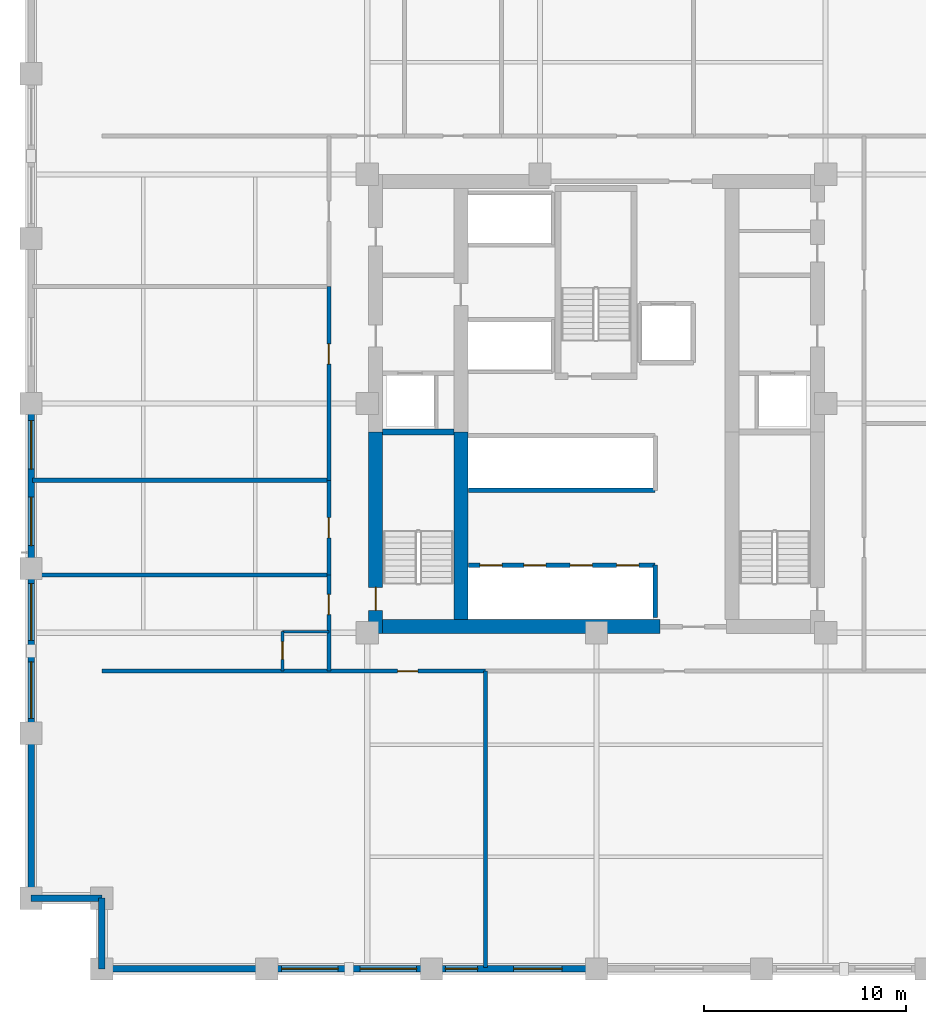
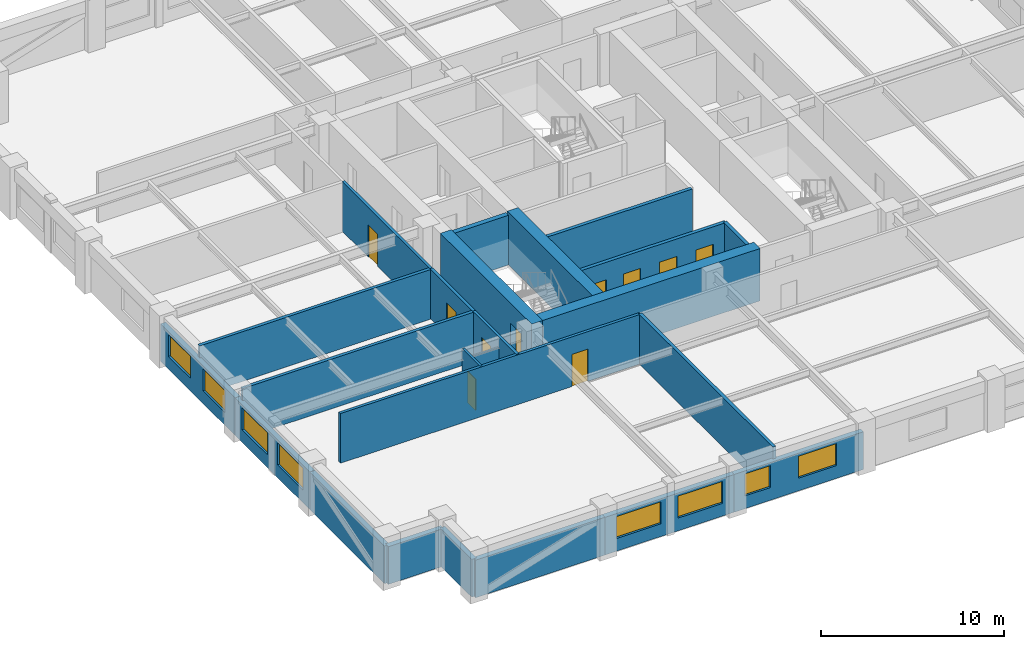
# One storey, part 5 of 9: 24 walls, 10 doors, 8 windows, 18 openings.
"""IFC4 building model written with IfcOpenShell, lengths in metres."""

from ifc_helpers import new_model, si_unit, direction, frame, frame_2d, origin, place, context, subcontext, project, spatial, rectangle, extrude, material, layer, layer_set, type_object, element, fill, save


model = new_model("IFC4")

# Units and contexts
model_context = context("Model", 3, precision=1e-05, world=origin(), true_north=direction((0.0, 1.0)))
body_context = subcontext(model_context, "Body", "Model", "MODEL_VIEW")
ifc_project = project(units=[si_unit("LENGTHUNIT", "METRE"), si_unit("AREAUNIT", "SQUARE_METRE"), si_unit("VOLUMEUNIT", "CUBIC_METRE"), si_unit("PLANEANGLEUNIT", "RADIAN"), si_unit("MASSUNIT", "GRAM", prefix="KILO")], contexts=[model_context])

# Site, building, storey
site_placement = place(None, origin())
site = spatial("IfcSite", under=ifc_project, at=site_placement, CompositionType="ELEMENT")
building_placement = place(site_placement, origin())
building = spatial("IfcBuilding", under=site, at=building_placement, Name="Nhamokura Convention Tower", CompositionType="ELEMENT")
storey_placement = place(building_placement, frame((0.0, 0.0, 85.75)))
storey = spatial("IfcBuildingStorey", under=building, at=storey_placement, Name="L20", CompositionType="ELEMENT", Elevation=85.75)

# Wall
ifc_material_1 = material(Name="Moisture-resistant tile-backer partition", Category="masonry")
ifc_layer_1 = layer(ifc_material_1, 0.139892578125)
ifc_layer_set_1 = layer_set([ifc_layer_1], Name="BathroomWetWall_140")
wall_type_1 = type_object("IfcWallType", Name="BathroomWetWall_140", PredefinedType="STANDARD", material=ifc_layer_set_1)
wall_1_placement = place(storey_placement, frame((16.449951171875, 20.699951171875, 0.0), z_axis=(0.0, 0.0, 1.0), x_axis=(1.0, 0.0, 0.0)))
element("IfcWall", 1, at=wall_1_placement, inside=storey, type_object=wall_type_1, Name="L20 Wall INT-L20-BW-W00N", PredefinedType="STANDARD", context=body_context, shape_type="SweptSolid", body=[
    extrude(rectangle(XDim=2.300048828125, YDim=0.139892578125, at=frame_2d((1.14990234375, 0.0))), origin(), (0.0, 0.0, 1.0), 2.614990234375),
])

# Wall, opening, door
wall_2_placement = place(storey_placement, frame((16.449951171875, 18.75, 0.0), z_axis=(0.0, 0.0, 1.0), x_axis=(0.0, 1.0, 0.0)))
wall_2 = element("IfcWall", 2, at=wall_2_placement, inside=storey, type_object=wall_type_1, Name="L20 Wall INT-L20-BW-W00W", PredefinedType="STANDARD", context=body_context, shape_type="SweptSolid", body=[
    extrude(rectangle(XDim=1.949951171875, YDim=0.139892578125, at=frame_2d((0.97509765625, 0.0))), origin(), (0.0, 0.0, 1.0), 3.320068359375),
])
opening_1_placement = place(wall_2_placement, frame((0.580078125, 0.0, 0.0)))
opening_1 = element("IfcOpeningElement", 3, at=opening_1_placement, cuts=wall_2, Name="Opening D-11", PredefinedType="OPENING", context=body_context, shape_type="SweptSolid", body=[
    extrude(rectangle(XDim=0.8798828125, YDim=2.10009765625, at=frame_2d((0.43994140625, 1.050048828125))), frame((0.0, 0.079833984375, 0.0), z_axis=(0.0, -1.0, 0.0), x_axis=(1.0, 0.0, 0.0)), (0.0, 0.0, 1.0), 0.159912109375),
])
ifc_material_2 = material(Name="Solid oak hardwood", Category="wood")
door_type_1 = type_object("IfcDoorType", Name="BathroomDoor_880", OperationType="NOTDEFINED", PredefinedType="DOOR", material=ifc_material_2)
door_1_placement = place(opening_1_placement, origin())
door_1 = element("IfcDoor", 4, at=door_1_placement, inside=storey, type_object=door_type_1, Name="L20 Guest Room En-suite Door", OperationType="SINGLE_SWING_RIGHT", OverallHeight=2.10009765625, OverallWidth=0.8798828125, PredefinedType="DOOR", context=body_context, shape_type="SweptSolid", body=[
    extrude(rectangle(XDim=0.8798828125, YDim=2.10009765625, at=frame_2d((0.43994140625, 1.050048828125))), frame((0.0, 0.02490234375, 0.0), z_axis=(0.0, -1.0, 0.0), x_axis=(1.0, 0.0, 0.0)), (0.0, 0.0, 1.0), 0.050048828125),
])
fill(opening_1, door_1)

# Wall
ifc_material_3 = material(Name="Bronze-pigmented precast concrete C45/55", Category="concrete")
ifc_layer_2 = layer(ifc_material_3, 0.320068359375)
ifc_layer_set_2 = layer_set([ifc_layer_2], Name="BronzePrecastSpandrel_320")
wall_type_2 = type_object("IfcWallType", Name="BronzePrecastSpandrel_320", PredefinedType="USERDEFINED", material=ifc_layer_set_2)
wall_3_placement = place(storey_placement, frame((15.666748046875, 4.0, 0.0), z_axis=(0.0, 0.0, 1.0), x_axis=(-1.0, 0.0, 0.0)))
element("IfcWall", 5, at=wall_3_placement, inside=storey, type_object=wall_type_2, Name="L20 Braced-Bay Precast Wall SOUTH 0", ObjectType="SPANDREL_WALL", PredefinedType="USERDEFINED", context=body_context, shape_type="SweptSolid", body=[
    extrude(rectangle(XDim=8.166748046875, YDim=0.320068359375, at=frame_2d((4.08349609375, 0.0))), origin(), (0.0, 0.0, 1.0), 2.52001953125),
])

# Wall, openings, windows
wall_4_placement = place(storey_placement, frame((23.833251953125, 4.0, 0.0), z_axis=(0.0, 0.0, 1.0), x_axis=(-1.0, 0.0, 0.0)))
wall_4 = element("IfcWall", 6, at=wall_4_placement, inside=storey, type_object=wall_type_2, Name="L20 Masonry-Frame Wall SOUTH 1", ObjectType="SPANDREL_WALL", PredefinedType="USERDEFINED", context=body_context, shape_type="SweptSolid", body=[
    extrude(rectangle(XDim=8.16650390625, YDim=0.320068359375, at=frame_2d((4.083251953125, 0.0))), origin(), (0.0, 0.0, 1.0), 2.52001953125),
])
opening_2_placement = place(wall_4_placement, frame((0.74169921875, 0.0, 0.85009765625)))
opening_2 = element("IfcOpeningElement", 7, at=opening_2_placement, cuts=wall_4, Name="Opening W-04", PredefinedType="OPENING", context=body_context, shape_type="SweptSolid", body=[
    extrude(rectangle(XDim=2.800048828125, YDim=1.469970703125, at=frame_2d((1.39990234375, 0.73486328125))), frame((0.0, 0.169921875, 0.0), z_axis=(0.0, -1.0, 0.0), x_axis=(1.0, 0.0, 0.0)), (0.0, 0.0, 1.0), 0.340087890625),
])
opening_3_placement = place(wall_4_placement, frame((4.625, 0.0, 0.85009765625)))
opening_3 = element("IfcOpeningElement", 8, at=opening_3_placement, cuts=wall_4, Name="Opening W-04", PredefinedType="OPENING", context=body_context, shape_type="SweptSolid", body=[
    extrude(rectangle(XDim=2.800048828125, YDim=1.469970703125, at=frame_2d((1.39990234375, 0.73486328125))), frame((0.0, 0.169921875, 0.0), z_axis=(0.0, -1.0, 0.0), x_axis=(1.0, 0.0, 0.0)), (0.0, 0.0, 1.0), 0.340087890625),
])
ifc_material_4 = material(Name="Solar-control bronze low-E double glass", Category="glass")
window_type_1 = type_object("IfcWindowType", Name="HotelSuiteWindow_2800", PartitioningType="DOUBLE_PANEL_VERTICAL", PredefinedType="WINDOW", material=ifc_material_4)
window_1_placement = place(opening_2_placement, origin())
window_1 = element("IfcWindow", 9, at=window_1_placement, inside=storey, type_object=window_type_1, Name="L20 Facade Window SOUTH 1-1", OverallHeight=1.469970703125, OverallWidth=2.800048828125, PartitioningType="SINGLE_PANEL", PredefinedType="WINDOW", context=body_context, shape_type="SweptSolid", body=[
    extrude(rectangle(XDim=2.800048828125, YDim=1.469970703125, at=frame_2d((1.39990234375, 0.73486328125))), frame((0.0, 0.030029296875, 0.0), z_axis=(0.0, -1.0, 0.0), x_axis=(1.0, 0.0, 0.0)), (0.0, 0.0, 1.0), 0.06005859375),
])
fill(opening_2, window_1)
window_2_placement = place(opening_3_placement, origin())
window_2 = element("IfcWindow", 10, at=window_2_placement, inside=storey, type_object=window_type_1, Name="L20 Facade Window SOUTH 1-2", OverallHeight=1.469970703125, OverallWidth=2.800048828125, PartitioningType="SINGLE_PANEL", PredefinedType="WINDOW", context=body_context, shape_type="SweptSolid", body=[
    extrude(rectangle(XDim=2.800048828125, YDim=1.469970703125, at=frame_2d((1.39990234375, 0.73486328125))), frame((0.0, 0.030029296875, 0.0), z_axis=(0.0, -1.0, 0.0), x_axis=(1.0, 0.0, 0.0)), (0.0, 0.0, 1.0), 0.06005859375),
])
fill(opening_3, window_2)

wall_5_placement = place(storey_placement, frame((32.0, 4.0, 0.0), z_axis=(0.0, 0.0, 1.0), x_axis=(-1.0, 0.0, 0.0)))
wall_5 = element("IfcWall", 11, at=wall_5_placement, inside=storey, type_object=wall_type_2, Name="L20 Masonry-Frame Wall SOUTH 2", ObjectType="SPANDREL_WALL", PredefinedType="USERDEFINED", context=body_context, shape_type="SweptSolid", body=[
    extrude(rectangle(XDim=8.166748046875, YDim=0.320068359375, at=frame_2d((4.08349609375, 0.0))), origin(), (0.0, 0.0, 1.0), 2.52001953125),
])
opening_4_placement = place(wall_5_placement, frame((1.699951171875, 0.0, 0.85009765625)))
opening_4 = element("IfcOpeningElement", 12, at=opening_4_placement, cuts=wall_5, Name="Opening W-03", PredefinedType="OPENING", context=body_context, shape_type="SweptSolid", body=[
    extrude(rectangle(XDim=2.39990234375, YDim=1.469970703125, at=frame_2d((1.199951171875, 0.73486328125))), frame((0.0, 0.169921875, 0.0), z_axis=(0.0, -1.0, 0.0), x_axis=(1.0, 0.0, 0.0)), (0.0, 0.0, 1.0), 0.340087890625),
])
opening_5_placement = place(wall_5_placement, frame((5.88330078125, 0.0, 0.85009765625)))
opening_5 = element("IfcOpeningElement", 13, at=opening_5_placement, cuts=wall_5, Name="Opening W-11", PredefinedType="OPENING", context=body_context, shape_type="SweptSolid", body=[
    extrude(rectangle(XDim=1.60009765625, YDim=1.469970703125, at=frame_2d((0.800048828125, 0.73486328125))), frame((0.0, 0.169921875, 0.0), z_axis=(0.0, -1.0, 0.0), x_axis=(1.0, 0.0, 0.0)), (0.0, 0.0, 1.0), 0.340087890625),
])
ifc_material_5 = material(Name="Solar-control bronze low-E double glass", Category="glass")
window_type_2 = type_object("IfcWindowType", Name="HotelBayWindow_2400", PartitioningType="DOUBLE_PANEL_VERTICAL", PredefinedType="WINDOW", material=ifc_material_5)
window_3_placement = place(opening_4_placement, origin())
window_3 = element("IfcWindow", 14, at=window_3_placement, inside=storey, type_object=window_type_2, Name="L20 Facade Window SOUTH 2-1", OverallHeight=1.469970703125, OverallWidth=2.39990234375, PartitioningType="SINGLE_PANEL", PredefinedType="WINDOW", context=body_context, shape_type="SweptSolid", body=[
    extrude(rectangle(XDim=2.39990234375, YDim=1.469970703125, at=frame_2d((1.199951171875, 0.73486328125))), frame((0.0, 0.030029296875, 0.0), z_axis=(0.0, -1.0, 0.0), x_axis=(1.0, 0.0, 0.0)), (0.0, 0.0, 1.0), 0.06005859375),
])
fill(opening_4, window_3)
ifc_material_6 = material(Name="Solar-control bronze low-E double glass", Category="glass")
window_type_3 = type_object("IfcWindowType", Name="NotchCornerWindow_1600", PartitioningType="SINGLE_PANEL", PredefinedType="WINDOW", material=ifc_material_6)
window_4_placement = place(opening_5_placement, origin())
window_4 = element("IfcWindow", 15, at=window_4_placement, inside=storey, type_object=window_type_3, Name="L20 Facade Window SOUTH 2-2", OverallHeight=1.469970703125, OverallWidth=1.60009765625, PartitioningType="SINGLE_PANEL", PredefinedType="WINDOW", context=body_context, shape_type="SweptSolid", body=[
    extrude(rectangle(XDim=1.60009765625, YDim=1.469970703125, at=frame_2d((0.800048828125, 0.73486328125))), frame((0.0, 0.030029296875, 0.0), z_axis=(0.0, -1.0, 0.0), x_axis=(1.0, 0.0, 0.0)), (0.0, 0.0, 1.0), 0.06005859375),
])
fill(opening_5, window_4)

# Wall
wall_6_placement = place(storey_placement, frame((4.0, 7.5, 0.0), z_axis=(0.0, 0.0, 1.0), x_axis=(0.0, 1.0, 0.0)))
element("IfcWall", 16, at=wall_6_placement, inside=storey, type_object=wall_type_2, Name="L20 Braced-Bay Precast Wall WEST 0", ObjectType="SPANDREL_WALL", PredefinedType="USERDEFINED", context=body_context, shape_type="SweptSolid", body=[
    extrude(rectangle(XDim=8.166748046875, YDim=0.320068359375, at=frame_2d((4.08349609375, 0.0))), origin(), (0.0, 0.0, 1.0), 2.52001953125),
])

# Wall, openings, windows
wall_7_placement = place(storey_placement, frame((4.0, 15.666748046875, 0.0), z_axis=(0.0, 0.0, 1.0), x_axis=(0.0, 1.0, 0.0)))
wall_7 = element("IfcWall", 17, at=wall_7_placement, inside=storey, type_object=wall_type_2, Name="L20 Masonry-Frame Wall WEST 1", ObjectType="SPANDREL_WALL", PredefinedType="USERDEFINED", context=body_context, shape_type="SweptSolid", body=[
    extrude(rectangle(XDim=8.16650390625, YDim=0.320068359375, at=frame_2d((4.083251953125, 0.0))), origin(), (0.0, 0.0, 1.0), 2.52001953125),
])
opening_6_placement = place(wall_7_placement, frame((0.74169921875, 0.0, 0.85009765625)))
opening_6 = element("IfcOpeningElement", 18, at=opening_6_placement, cuts=wall_7, Name="Opening W-04", PredefinedType="OPENING", context=body_context, shape_type="SweptSolid", body=[
    extrude(rectangle(XDim=2.800048828125, YDim=1.469970703125, at=frame_2d((1.39990234375, 0.73486328125))), frame((0.0, 0.169921875, 0.0), z_axis=(0.0, -1.0, 0.0), x_axis=(1.0, 0.0, 0.0)), (0.0, 0.0, 1.0), 0.340087890625),
])
opening_7_placement = place(wall_7_placement, frame((4.6083984375, 0.0, 0.85009765625)))
opening_7 = element("IfcOpeningElement", 19, at=opening_7_placement, cuts=wall_7, Name="Opening W-04", PredefinedType="OPENING", context=body_context, shape_type="SweptSolid", body=[
    extrude(rectangle(XDim=2.800048828125, YDim=1.469970703125, at=frame_2d((1.39990234375, 0.73486328125))), frame((0.0, 0.169921875, 0.0), z_axis=(0.0, -1.0, 0.0), x_axis=(1.0, 0.0, 0.0)), (0.0, 0.0, 1.0), 0.340087890625),
])
window_5_placement = place(opening_6_placement, origin())
window_5 = element("IfcWindow", 20, at=window_5_placement, inside=storey, type_object=window_type_1, Name="L20 Facade Window WEST 1-1", OverallHeight=1.469970703125, OverallWidth=2.800048828125, PartitioningType="SINGLE_PANEL", PredefinedType="WINDOW", context=body_context, shape_type="SweptSolid", body=[
    extrude(rectangle(XDim=2.800048828125, YDim=1.469970703125, at=frame_2d((1.39990234375, 0.73486328125))), frame((0.0, 0.030029296875, 0.0), z_axis=(0.0, -1.0, 0.0), x_axis=(1.0, 0.0, 0.0)), (0.0, 0.0, 1.0), 0.06005859375),
])
fill(opening_6, window_5)
window_6_placement = place(opening_7_placement, origin())
window_6 = element("IfcWindow", 21, at=window_6_placement, inside=storey, type_object=window_type_1, Name="L20 Facade Window WEST 1-2", OverallHeight=1.469970703125, OverallWidth=2.800048828125, PartitioningType="SINGLE_PANEL", PredefinedType="WINDOW", context=body_context, shape_type="SweptSolid", body=[
    extrude(rectangle(XDim=2.800048828125, YDim=1.469970703125, at=frame_2d((1.39990234375, 0.73486328125))), frame((0.0, 0.030029296875, 0.0), z_axis=(0.0, -1.0, 0.0), x_axis=(1.0, 0.0, 0.0)), (0.0, 0.0, 1.0), 0.06005859375),
])
fill(opening_7, window_6)

wall_8_placement = place(storey_placement, frame((4.0, 23.833251953125, 0.0), z_axis=(0.0, 0.0, 1.0), x_axis=(0.0, 1.0, 0.0)))
wall_8 = element("IfcWall", 22, at=wall_8_placement, inside=storey, type_object=wall_type_2, Name="L20 Masonry-Frame Wall WEST 2", ObjectType="SPANDREL_WALL", PredefinedType="USERDEFINED", context=body_context, shape_type="SweptSolid", body=[
    extrude(rectangle(XDim=8.166748046875, YDim=0.320068359375, at=frame_2d((4.08349609375, 0.0))), origin(), (0.0, 0.0, 1.0), 2.52001953125),
])
opening_8_placement = place(wall_8_placement, frame((1.13330078125, 0.0, 0.85009765625)))
opening_8 = element("IfcOpeningElement", 23, at=opening_8_placement, cuts=wall_8, Name="Opening W-03", PredefinedType="OPENING", context=body_context, shape_type="SweptSolid", body=[
    extrude(rectangle(XDim=2.39990234375, YDim=1.469970703125, at=frame_2d((1.199951171875, 0.73486328125))), frame((0.0, 0.169921875, 0.0), z_axis=(0.0, -1.0, 0.0), x_axis=(1.0, 0.0, 0.0)), (0.0, 0.0, 1.0), 0.340087890625),
])
opening_9_placement = place(wall_8_placement, frame((4.916748046875, 0.0, 0.85009765625)))
opening_9 = element("IfcOpeningElement", 24, at=opening_9_placement, cuts=wall_8, Name="Opening W-03", PredefinedType="OPENING", context=body_context, shape_type="SweptSolid", body=[
    extrude(rectangle(XDim=2.39990234375, YDim=1.469970703125, at=frame_2d((1.199951171875, 0.73486328125))), frame((0.0, 0.169921875, 0.0), z_axis=(0.0, -1.0, 0.0), x_axis=(1.0, 0.0, 0.0)), (0.0, 0.0, 1.0), 0.340087890625),
])
window_7_placement = place(opening_8_placement, origin())
window_7 = element("IfcWindow", 25, at=window_7_placement, inside=storey, type_object=window_type_2, Name="L20 Facade Window WEST 2-1", OverallHeight=1.469970703125, OverallWidth=2.39990234375, PartitioningType="SINGLE_PANEL", PredefinedType="WINDOW", context=body_context, shape_type="SweptSolid", body=[
    extrude(rectangle(XDim=2.39990234375, YDim=1.469970703125, at=frame_2d((1.199951171875, 0.73486328125))), frame((0.0, 0.030029296875, 0.0), z_axis=(0.0, -1.0, 0.0), x_axis=(1.0, 0.0, 0.0)), (0.0, 0.0, 1.0), 0.06005859375),
])
fill(opening_8, window_7)
window_8_placement = place(opening_9_placement, origin())
window_8 = element("IfcWindow", 26, at=window_8_placement, inside=storey, type_object=window_type_2, Name="L20 Facade Window WEST 2-2", OverallHeight=1.469970703125, OverallWidth=2.39990234375, PartitioningType="SINGLE_PANEL", PredefinedType="WINDOW", context=body_context, shape_type="SweptSolid", body=[
    extrude(rectangle(XDim=2.39990234375, YDim=1.469970703125, at=frame_2d((1.199951171875, 0.73486328125))), frame((0.0, 0.030029296875, 0.0), z_axis=(0.0, -1.0, 0.0), x_axis=(1.0, 0.0, 0.0)), (0.0, 0.0, 1.0), 0.06005859375),
])
fill(opening_9, window_8)

# Walls
for number, where, z_axis, x_axis, name in (
    (27, (7.5, 4.0, 0.0), (0.0, 0.0, 1.0), (0.0, 1.0, 0.0), "L20 Notched Corner Wall SW1"),
    (28, (7.5, 7.5, 0.0), (0.0, 0.0, 1.0), (-1.0, 0.0, 0.0), "L20 Notched Corner Wall SW2"),
):
    element("IfcWall", number, at=place(storey_placement, frame(where, z_axis=z_axis, x_axis=x_axis)), inside=storey, type_object=wall_type_2, Name=name, ObjectType="SPANDREL_WALL", PredefinedType="USERDEFINED", context=body_context, shape_type="SweptSolid", body=[
        extrude(rectangle(XDim=3.5, YDim=0.320068359375, at=frame_2d((1.75, 0.0))), origin(), (0.0, 0.0, 1.0), 2.52001953125),
    ])

# Wall, opening, door
ifc_material_7 = material(Name="Concrete C70/85", Category="concrete")
ifc_layer_3 = layer(ifc_material_7, 0.699951171875)
ifc_layer_set_3 = layer_set([ifc_layer_3], Name="CoreShearWall_700")
wall_type_3 = type_object("IfcWallType", Name="CoreShearWall_700", PredefinedType="SHEAR", material=ifc_layer_set_3)
wall_9_placement = place(storey_placement, frame((21.06005859375, 20.60009765625, 0.0), z_axis=(0.0, 0.0, 1.0), x_axis=(0.0, 1.0, 0.0)))
wall_9 = element("IfcWall", 29, at=wall_9_placement, inside=storey, type_object=wall_type_3, Name="L20 Core Shear Wall CW-WS", PredefinedType="SHEAR", context=body_context, shape_type="SweptSolid", body=[
    extrude(rectangle(XDim=10.0, YDim=0.699951171875, at=frame_2d((5.0, 0.0))), origin(), (0.0, 0.0, 1.0), 3.5),
])
opening_10_placement = place(wall_9_placement, frame((1.14990234375, 0.0, 0.0)))
opening_10 = element("IfcOpeningElement", 30, at=opening_10_placement, cuts=wall_9, Name="Opening D-04", PredefinedType="OPENING", context=body_context, shape_type="SweptSolid", body=[
    extrude(rectangle(XDim=1.14990234375, YDim=2.14990234375, at=frame_2d((0.574951171875, 1.074951171875))), frame((0.0, 0.35986328125, 0.0), z_axis=(0.0, -1.0, 0.0), x_axis=(1.0, 0.0, 0.0)), (0.0, 0.0, 1.0), 0.719970703125),
])
ifc_material_8 = material(Name="Fire-rated steel door", Category="steel")
door_type_2 = type_object("IfcDoorType", Name="StairSmokeDoor_1150", OperationType="NOTDEFINED", PredefinedType="DOOR", material=ifc_material_8)
door_2_placement = place(opening_10_placement, origin())
door_2 = element("IfcDoor", 31, at=door_2_placement, inside=storey, type_object=door_type_2, Name="L20 Core Door INT-L20-D-ST01", OperationType="SINGLE_SWING_LEFT", OverallHeight=2.14990234375, OverallWidth=1.14990234375, PredefinedType="DOOR", context=body_context, shape_type="SweptSolid", body=[
    extrude(rectangle(XDim=1.14990234375, YDim=2.14990234375, at=frame_2d((0.574951171875, 1.074951171875))), frame((0.0, 0.02490234375, 0.0), z_axis=(0.0, -1.0, 0.0), x_axis=(1.0, 0.0, 0.0)), (0.0, 0.0, 1.0), 0.050048828125),
])
fill(opening_10, door_2)

# Walls
wall_10_placement = place(storey_placement, frame((21.409912109375, 20.949951171875, 0.0), z_axis=(0.0, 0.0, 1.0), x_axis=(1.0, 0.0, 0.0)))
element("IfcWall", 32, at=wall_10_placement, inside=storey, type_object=wall_type_3, Name="L20 Core Shear Wall CW-S1", PredefinedType="SHEAR", context=body_context, shape_type="SweptSolid", body=[
    extrude(rectangle(XDim=13.739990234375, YDim=0.699951171875, at=frame_2d((6.8701171875, 0.0))), origin(), (0.0, 0.0, 1.0), 3.5),
])
wall_11_placement = place(storey_placement, frame((25.2900390625, 21.300048828125, 0.0), z_axis=(0.0, 0.0, 1.0), x_axis=(0.0, 1.0, 0.0)))
element("IfcWall", 33, at=wall_11_placement, inside=storey, type_object=wall_type_3, Name="L20 Core Shear Wall CW-IWS", PredefinedType="SHEAR", context=body_context, shape_type="SweptSolid", body=[
    extrude(rectangle(XDim=9.300048828125, YDim=0.699951171875, at=frame_2d((4.64990234375, 0.0))), origin(), (0.0, 0.0, 1.0), 3.5),
])

# Wall, opening, door
ifc_material_9 = material(Name="Fire-rated gypsum and masonry partition", Category="masonry")
ifc_layer_4 = layer(ifc_material_9, 0.179931640625)
ifc_layer_set_4 = layer_set([ifc_layer_4], Name="CorridorRatedWall_180")
wall_type_4 = type_object("IfcWallType", Name="CorridorRatedWall_180", PredefinedType="STANDARD", material=ifc_layer_set_4)
wall_12_placement = place(storey_placement, frame((7.5, 18.75, 0.0), z_axis=(0.0, 0.0, 1.0), x_axis=(1.0, 0.0, 0.0)))
wall_12 = element("IfcWall", 34, at=wall_12_placement, inside=storey, type_object=wall_type_4, Name="L20 Wall INT-L20-CW-S00", PredefinedType="STANDARD", context=body_context, shape_type="SweptSolid", body=[
    extrude(rectangle(XDim=19.0, YDim=0.179931640625, at=frame_2d((9.5, 0.0))), origin(), (0.0, 0.0, 1.0), 3.320068359375),
])
opening_11_placement = place(wall_12_placement, frame((14.64990234375, 0.0, 0.0)))
opening_11 = element("IfcOpeningElement", 35, at=opening_11_placement, cuts=wall_12, Name="Opening D-07", PredefinedType="OPENING", context=body_context, shape_type="SweptSolid", body=[
    extrude(rectangle(XDim=1.0, YDim=2.14990234375, at=frame_2d((0.5, 1.074951171875))), frame((0.0, 0.099853515625, 0.0), z_axis=(0.0, -1.0, 0.0), x_axis=(1.0, 0.0, 0.0)), (0.0, 0.0, 1.0), 0.199951171875),
])
ifc_material_10 = material(Name="Solid oak hardwood", Category="wood")
door_type_3 = type_object("IfcDoorType", Name="HotelSuiteEntryDoor_1000", OperationType="NOTDEFINED", PredefinedType="DOOR", material=ifc_material_10)
door_3_placement = place(opening_11_placement, origin())
door_3 = element("IfcDoor", 36, at=door_3_placement, inside=storey, type_object=door_type_3, Name="L20 Conference Salon S01 Door", OperationType="SINGLE_SWING_LEFT", OverallHeight=2.14990234375, OverallWidth=1.0, PredefinedType="DOOR", context=body_context, shape_type="SweptSolid", body=[
    extrude(rectangle(XDim=1.0, YDim=2.14990234375, at=frame_2d((0.5, 1.074951171875))), frame((0.0, 0.02490234375, 0.0), z_axis=(0.0, -1.0, 0.0), x_axis=(1.0, 0.0, 0.0)), (0.0, 0.0, 1.0), 0.050048828125),
])
fill(opening_11, door_3)

wall_13_placement = place(storey_placement, frame((18.75, 18.75, 0.0), z_axis=(0.0, 0.0, 1.0), x_axis=(0.0, 1.0, 0.0)))
wall_13 = element("IfcWall", 37, at=wall_13_placement, inside=storey, type_object=wall_type_4, Name="L20 Wall INT-L20-CW-W00", PredefinedType="STANDARD", context=body_context, shape_type="SweptSolid", body=[
    extrude(rectangle(XDim=4.75, YDim=0.179931640625, at=frame_2d((2.375, 0.0))), origin(), (0.0, 0.0, 1.0), 3.320068359375),
])
opening_12_placement = place(wall_13_placement, frame((2.800048828125, 0.0, 0.0)))
opening_12 = element("IfcOpeningElement", 38, at=opening_12_placement, cuts=wall_13, Name="Opening D-07", PredefinedType="OPENING", context=body_context, shape_type="SweptSolid", body=[
    extrude(rectangle(XDim=1.0, YDim=2.14990234375, at=frame_2d((0.5, 1.074951171875))), frame((0.0, 0.099853515625, 0.0), z_axis=(0.0, -1.0, 0.0), x_axis=(1.0, 0.0, 0.0)), (0.0, 0.0, 1.0), 0.199951171875),
])
door_4_placement = place(opening_12_placement, origin())
door_4 = element("IfcDoor", 39, at=door_4_placement, inside=storey, type_object=door_type_3, Name="L20 Guest Room W01 Door", OperationType="SINGLE_SWING_LEFT", OverallHeight=2.14990234375, OverallWidth=1.0, PredefinedType="DOOR", context=body_context, shape_type="SweptSolid", body=[
    extrude(rectangle(XDim=1.0, YDim=2.14990234375, at=frame_2d((0.5, 1.074951171875))), frame((0.0, 0.02490234375, 0.0), z_axis=(0.0, -1.0, 0.0), x_axis=(1.0, 0.0, 0.0)), (0.0, 0.0, 1.0), 0.050048828125),
])
fill(opening_12, door_4)

wall_14_placement = place(storey_placement, frame((18.75, 23.5, 0.0), z_axis=(0.0, 0.0, 1.0), x_axis=(0.0, 1.0, 0.0)))
wall_14 = element("IfcWall", 40, at=wall_14_placement, inside=storey, type_object=wall_type_4, Name="L20 Wall INT-L20-CW-W01", PredefinedType="STANDARD", context=body_context, shape_type="SweptSolid", body=[
    extrude(rectangle(XDim=4.699951171875, YDim=0.179931640625, at=frame_2d((2.35009765625, 0.0))), origin(), (0.0, 0.0, 1.0), 3.320068359375),
])
opening_13_placement = place(wall_14_placement, frame((1.85009765625, 0.0, 0.0)))
opening_13 = element("IfcOpeningElement", 41, at=opening_13_placement, cuts=wall_14, Name="Opening D-07", PredefinedType="OPENING", context=body_context, shape_type="SweptSolid", body=[
    extrude(rectangle(XDim=1.0, YDim=2.14990234375, at=frame_2d((0.5, 1.074951171875))), frame((0.0, 0.099853515625, 0.0), z_axis=(0.0, -1.0, 0.0), x_axis=(1.0, 0.0, 0.0)), (0.0, 0.0, 1.0), 0.199951171875),
])
door_5_placement = place(opening_13_placement, origin())
door_5 = element("IfcDoor", 42, at=door_5_placement, inside=storey, type_object=door_type_3, Name="L20 Pantry W02 Door", OperationType="SINGLE_SWING_RIGHT", OverallHeight=2.14990234375, OverallWidth=1.0, PredefinedType="DOOR", context=body_context, shape_type="SweptSolid", body=[
    extrude(rectangle(XDim=1.0, YDim=2.14990234375, at=frame_2d((0.5, 1.074951171875))), frame((0.0, 0.02490234375, 0.0), z_axis=(0.0, -1.0, 0.0), x_axis=(1.0, 0.0, 0.0)), (0.0, 0.0, 1.0), 0.050048828125),
])
fill(opening_13, door_5)

wall_15_placement = place(storey_placement, frame((18.75, 28.199951171875, 0.0), z_axis=(0.0, 0.0, 1.0), x_axis=(0.0, 1.0, 0.0)))
wall_15 = element("IfcWall", 43, at=wall_15_placement, inside=storey, type_object=wall_type_4, Name="L20 Wall INT-L20-CW-W02", PredefinedType="STANDARD", context=body_context, shape_type="SweptSolid", body=[
    extrude(rectangle(XDim=9.60009765625, YDim=0.179931640625, at=frame_2d((4.800048828125, 0.0))), origin(), (0.0, 0.0, 1.0), 3.320068359375),
])
opening_14_placement = place(wall_15_placement, frame((5.75, 0.0, 0.0)))
opening_14 = element("IfcOpeningElement", 44, at=opening_14_placement, cuts=wall_15, Name="Opening D-07", PredefinedType="OPENING", context=body_context, shape_type="SweptSolid", body=[
    extrude(rectangle(XDim=1.0, YDim=2.14990234375, at=frame_2d((0.5, 1.074951171875))), frame((0.0, 0.099853515625, 0.0), z_axis=(0.0, -1.0, 0.0), x_axis=(1.0, 0.0, 0.0)), (0.0, 0.0, 1.0), 0.199951171875),
])
door_6_placement = place(opening_14_placement, origin())
door_6 = element("IfcDoor", 45, at=door_6_placement, inside=storey, type_object=door_type_3, Name="L20 Conference Salon W03 Door", OperationType="SINGLE_SWING_LEFT", OverallHeight=2.14990234375, OverallWidth=1.0, PredefinedType="DOOR", context=body_context, shape_type="SweptSolid", body=[
    extrude(rectangle(XDim=1.0, YDim=2.14990234375, at=frame_2d((0.5, 1.074951171875))), frame((0.0, 0.02490234375, 0.0), z_axis=(0.0, -1.0, 0.0), x_axis=(1.0, 0.0, 0.0)), (0.0, 0.0, 1.0), 0.050048828125),
])
fill(opening_14, door_6)

# Wall, openings, doors
ifc_material_11 = material(Name="Autoclaved concrete blockwork", Category="masonry")
ifc_layer_5 = layer(ifc_material_11, 0.219970703125)
ifc_layer_set_5 = layer_set([ifc_layer_5], Name="FireLobbyWall_220")
wall_type_5 = type_object("IfcWallType", Name="FireLobbyWall_220", PredefinedType="STANDARD", material=ifc_layer_set_5)
wall_16_placement = place(storey_placement, frame((25.64990234375, 24.0, 0.0), z_axis=(0.0, 0.0, 1.0), x_axis=(1.0, 0.0, 0.0)))
wall_16 = element("IfcWall", 46, at=wall_16_placement, inside=storey, type_object=wall_type_5, Name="L20 Wall INT-L20-B1N", PredefinedType="STANDARD", context=body_context, shape_type="SweptSolid", body=[
    extrude(rectangle(XDim=9.25, YDim=0.219970703125, at=frame_2d((4.625, 0.0))), origin(), (0.0, 0.0, 1.0), 3.320068359375),
])
opening_15_placement = place(wall_16_placement, frame((0.580078125, 0.0, 0.0)))
opening_15 = element("IfcOpeningElement", 47, at=opening_15_placement, cuts=wall_16, Name="Opening LD-01", PredefinedType="OPENING", context=body_context, shape_type="SweptSolid", body=[
    extrude(rectangle(XDim=1.10009765625, YDim=2.14990234375, at=frame_2d((0.550048828125, 1.074951171875))), frame((0.0, 0.119873046875, 0.0), z_axis=(0.0, -1.0, 0.0), x_axis=(1.0, 0.0, 0.0)), (0.0, 0.0, 1.0), 0.239990234375),
])
opening_16_placement = place(wall_16_placement, frame((2.75, 0.0, 0.0)))
opening_16 = element("IfcOpeningElement", 48, at=opening_16_placement, cuts=wall_16, Name="Opening LD-01", PredefinedType="OPENING", context=body_context, shape_type="SweptSolid", body=[
    extrude(rectangle(XDim=1.10009765625, YDim=2.14990234375, at=frame_2d((0.550048828125, 1.074951171875))), frame((0.0, 0.119873046875, 0.0), z_axis=(0.0, -1.0, 0.0), x_axis=(1.0, 0.0, 0.0)), (0.0, 0.0, 1.0), 0.239990234375),
])
opening_17_placement = place(wall_16_placement, frame((5.050048828125, 0.0, 0.0)))
opening_17 = element("IfcOpeningElement", 49, at=opening_17_placement, cuts=wall_16, Name="Opening LD-01", PredefinedType="OPENING", context=body_context, shape_type="SweptSolid", body=[
    extrude(rectangle(XDim=1.10009765625, YDim=2.14990234375, at=frame_2d((0.550048828125, 1.074951171875))), frame((0.0, 0.119873046875, 0.0), z_axis=(0.0, -1.0, 0.0), x_axis=(1.0, 0.0, 0.0)), (0.0, 0.0, 1.0), 0.239990234375),
])
opening_18_placement = place(wall_16_placement, frame((7.35009765625, 0.0, 0.0)))
opening_18 = element("IfcOpeningElement", 50, at=opening_18_placement, cuts=wall_16, Name="Opening LD-01", PredefinedType="OPENING", context=body_context, shape_type="SweptSolid", body=[
    extrude(rectangle(XDim=1.10009765625, YDim=2.14990234375, at=frame_2d((0.550048828125, 1.074951171875))), frame((0.0, 0.119873046875, 0.0), z_axis=(0.0, -1.0, 0.0), x_axis=(1.0, 0.0, 0.0)), (0.0, 0.0, 1.0), 0.239990234375),
])
ifc_material_12 = material(Name="Anodised bronze stainless steel", Category="steel")
door_type_4 = type_object("IfcDoorType", Name="LiftLandingDoor_Passenger", OperationType="DOUBLE_DOOR_SLIDING", PredefinedType="DOOR", material=ifc_material_12)
door_7_placement = place(opening_15_placement, origin())
door_7 = element("IfcDoor", 51, at=door_7_placement, inside=storey, type_object=door_type_4, Name="L20 Lift LP-01 Landing Door", OperationType="DOUBLE_DOOR_SLIDING", OverallHeight=2.14990234375, OverallWidth=1.10009765625, PredefinedType="DOOR", context=body_context, shape_type="SweptSolid", body=[
    extrude(rectangle(XDim=1.10009765625, YDim=2.14990234375, at=frame_2d((0.550048828125, 1.074951171875))), frame((0.0, 0.02490234375, 0.0), z_axis=(0.0, -1.0, 0.0), x_axis=(1.0, 0.0, 0.0)), (0.0, 0.0, 1.0), 0.050048828125),
])
fill(opening_15, door_7)
door_8_placement = place(opening_16_placement, origin())
door_8 = element("IfcDoor", 52, at=door_8_placement, inside=storey, type_object=door_type_4, Name="L20 Lift LP-02 Landing Door", OperationType="DOUBLE_DOOR_SLIDING", OverallHeight=2.14990234375, OverallWidth=1.10009765625, PredefinedType="DOOR", context=body_context, shape_type="SweptSolid", body=[
    extrude(rectangle(XDim=1.10009765625, YDim=2.14990234375, at=frame_2d((0.550048828125, 1.074951171875))), frame((0.0, 0.02490234375, 0.0), z_axis=(0.0, -1.0, 0.0), x_axis=(1.0, 0.0, 0.0)), (0.0, 0.0, 1.0), 0.050048828125),
])
fill(opening_16, door_8)
door_9_placement = place(opening_17_placement, origin())
door_9 = element("IfcDoor", 53, at=door_9_placement, inside=storey, type_object=door_type_4, Name="L20 Lift LP-03 Landing Door", OperationType="DOUBLE_DOOR_SLIDING", OverallHeight=2.14990234375, OverallWidth=1.10009765625, PredefinedType="DOOR", context=body_context, shape_type="SweptSolid", body=[
    extrude(rectangle(XDim=1.10009765625, YDim=2.14990234375, at=frame_2d((0.550048828125, 1.074951171875))), frame((0.0, 0.02490234375, 0.0), z_axis=(0.0, -1.0, 0.0), x_axis=(1.0, 0.0, 0.0)), (0.0, 0.0, 1.0), 0.050048828125),
])
fill(opening_17, door_9)
door_10_placement = place(opening_18_placement, origin())
door_10 = element("IfcDoor", 54, at=door_10_placement, inside=storey, type_object=door_type_4, Name="L20 Lift LP-04 Landing Door", OperationType="DOUBLE_DOOR_SLIDING", OverallHeight=2.14990234375, OverallWidth=1.10009765625, PredefinedType="DOOR", context=body_context, shape_type="SweptSolid", body=[
    extrude(rectangle(XDim=1.10009765625, YDim=2.14990234375, at=frame_2d((0.550048828125, 1.074951171875))), frame((0.0, 0.02490234375, 0.0), z_axis=(0.0, -1.0, 0.0), x_axis=(1.0, 0.0, 0.0)), (0.0, 0.0, 1.0), 0.050048828125),
])
fill(opening_18, door_10)

# Walls
wall_17_placement = place(storey_placement, frame((34.89990234375, 21.39990234375, 0.0), z_axis=(0.0, 0.0, 1.0), x_axis=(0.0, 1.0, 0.0)))
element("IfcWall", 55, at=wall_17_placement, inside=storey, type_object=wall_type_5, Name="L20 Wall INT-L20-B1E", PredefinedType="STANDARD", context=body_context, shape_type="SweptSolid", body=[
    extrude(rectangle(XDim=2.60009765625, YDim=0.219970703125, at=frame_2d((1.300048828125, 0.0))), origin(), (0.0, 0.0, 1.0), 3.320068359375),
])
wall_18_placement = place(storey_placement, frame((25.64990234375, 27.699951171875, 0.0), z_axis=(0.0, 0.0, 1.0), x_axis=(1.0, 0.0, 0.0)))
element("IfcWall", 56, at=wall_18_placement, inside=storey, type_object=wall_type_5, Name="L20 Wall INT-L20-B2S", PredefinedType="STANDARD", context=body_context, shape_type="SweptSolid", body=[
    extrude(rectangle(XDim=9.25, YDim=0.219970703125, at=frame_2d((4.625, 0.0))), origin(), (0.0, 0.0, 1.0), 3.320068359375),
])
ifc_material_13 = material(Name="Acoustic twin-stud gypsum partition", Category="masonry")
ifc_layer_6 = layer(ifc_material_13, 0.199951171875)
ifc_layer_set_6 = layer_set([ifc_layer_6], Name="HotelDemisingWall_200")
wall_type_6 = type_object("IfcWallType", Name="HotelDemisingWall_200", PredefinedType="STANDARD", material=ifc_layer_set_6)
for number, where, z_axis, x_axis, name in (
    (57, (26.5, 4.06005859375, 0.0), (0.0, 0.0, 1.0), (0.0, 1.0, 0.0), "L20 Wall INT-L20-RW-S01"),
    (58, (4.06005859375, 23.5, 0.0), (0.0, 0.0, 1.0), (1.0, 0.0, 0.0), "L20 Wall INT-L20-RW-W01"),
    (59, (4.06005859375, 28.199951171875, 0.0), (0.0, 0.0, 1.0), (1.0, 0.0, 0.0), "L20 Wall INT-L20-RW-W02"),
):
    element("IfcWall", number, at=place(storey_placement, frame(where, z_axis=z_axis, x_axis=x_axis)), inside=storey, type_object=wall_type_6, Name=name, PredefinedType="STANDARD", context=body_context, shape_type="SweptSolid", body=[
        extrude(rectangle(XDim=14.68994140625, YDim=0.199951171875, at=frame_2d((7.344970703125, 0.0))), origin(), (0.0, 0.0, 1.0), 3.320068359375),
    ])
ifc_material_14 = material(Name="Concrete C50/60", Category="concrete")
ifc_layer_7 = layer(ifc_material_14, 0.300048828125)
ifc_layer_set_7 = layer_set([ifc_layer_7], Name="ShaftEnclosureWall_300")
wall_type_7 = type_object("IfcWallType", Name="ShaftEnclosureWall_300", PredefinedType="SHEAR", material=ifc_layer_set_7)
wall_19_placement = place(storey_placement, frame((21.409912109375, 30.60009765625, 0.0), z_axis=(0.0, 0.0, 1.0), x_axis=(1.0, 0.0, 0.0)))
element("IfcWall", 60, at=wall_19_placement, inside=storey, type_object=wall_type_7, Name="L20 Wall INT-L20-ST01-N", PredefinedType="SHEAR", context=body_context, shape_type="SweptSolid", body=[
    extrude(rectangle(XDim=3.530029296875, YDim=0.300048828125, at=frame_2d((1.76513671875, 0.0))), origin(), (0.0, 0.0, 1.0), 3.320068359375),
])

save(model, "model.ifc")
